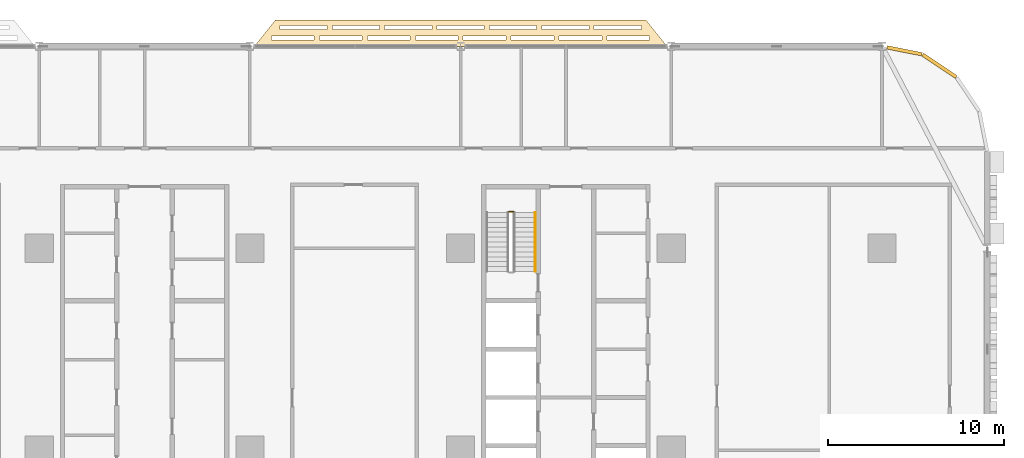
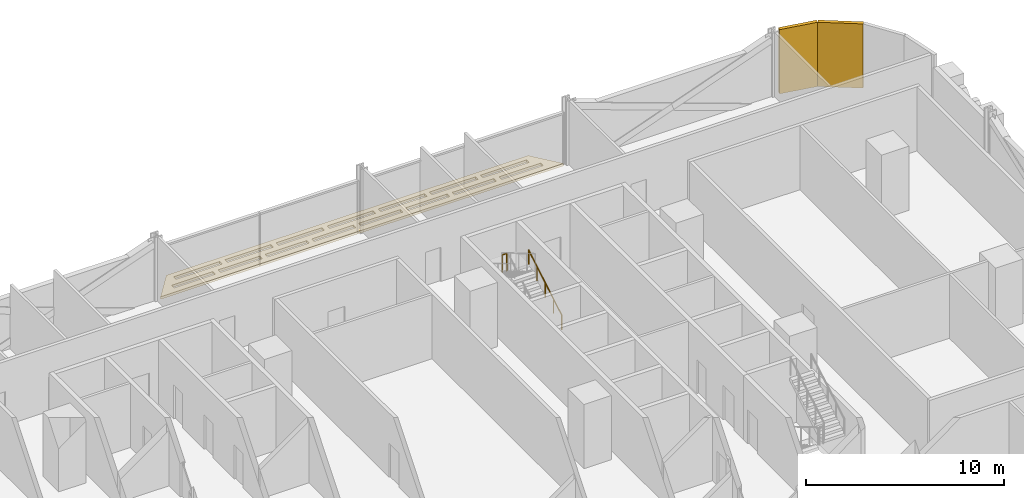
# One storey, part 28 of 29: 3 coverings, 2 railings.
"""IFC4 building model written with IfcOpenShell, lengths in metres."""

from ifc_helpers import new_model, si_unit, direction, frame, origin, origin_2d, place, context, subcontext, project, spatial, polyline, rectangle, circle, outline, extrude, material, layer, layer_set, type_object, element, save


model = new_model("IFC4")

# Units and contexts
model_context = context("Model", 3, precision=1e-05, world=origin(), true_north=direction((0.0, 1.0)))
body_context = subcontext(model_context, "Body", "Model", "MODEL_VIEW")
ifc_project = project(units=[si_unit("LENGTHUNIT", "METRE"), si_unit("AREAUNIT", "SQUARE_METRE"), si_unit("VOLUMEUNIT", "CUBIC_METRE"), si_unit("PLANEANGLEUNIT", "RADIAN"), si_unit("MASSUNIT", "GRAM", prefix="KILO")], contexts=[model_context])

# Site, building, storey
site_placement = place(None, origin())
site = spatial("IfcSite", under=ifc_project, at=site_placement, CompositionType="ELEMENT")
building_placement = place(site_placement, origin())
building = spatial("IfcBuilding", under=site, at=building_placement, Name="Mahtab Terrace Research Tower", CompositionType="ELEMENT")
storey_placement = place(building_placement, frame((0.0, 0.0, 20.10009765625)))
storey = spatial("IfcBuildingStorey", under=building, at=storey_placement, Name="L04", CompositionType="ELEMENT", Elevation=20.10009765625)

# Coverings
ifc_material_1 = material(Name="Black aluminium cladding panel", Category="aluminium")
ifc_layer_1 = layer(ifc_material_1, 0.199951171875)
ifc_layer_set_1 = layer_set([ifc_layer_1], Name="Black metal corner cladding 200")
covering_type_1 = type_object("IfcCoveringType", Name="Black metal corner cladding 200", PredefinedType="CLADDING", material=ifc_layer_set_1)
covering_1_placement = place(storey_placement, frame((45.26953125, 21.89306640625, 0.0), z_axis=(0.0, 0.0, 1.0), x_axis=(-0.831655794326, 0.555291490808, 0.0)))
element("IfcCovering", 1, at=covering_1_placement, inside=storey, type_object=covering_type_1, Name="Corner cladding L04 1", PredefinedType="CLADDING", context=body_context, shape_type="SweptSolid", body=[
    extrude(rectangle(XDim=2.30126953125, YDim=0.199951171875, at=origin_2d()), origin(), (0.0, 0.0, 1.0), 3.9599609375),
])
covering_2_placement = place(storey_placement, frame((43.28173828125, 22.744873046875, 0.0), z_axis=(0.0, 0.0, 1.0), x_axis=(-0.980760981187, 0.195212442692, 0.0)))
element("IfcCovering", 2, at=covering_2_placement, inside=storey, type_object=covering_type_1, Name="Corner cladding L04 2", PredefinedType="CLADDING", context=body_context, shape_type="SweptSolid", body=[
    extrude(rectangle(XDim=2.0283203125, YDim=0.199951171875, at=origin_2d()), origin(), (0.0, 0.0, 1.0), 3.9599609375),
])
ifc_material_2 = material(Name="Black anodised aluminium", Category="aluminium")
ifc_layer_2 = layer(ifc_material_2, 0.14990234375)
ifc_layer_set_2 = layer_set([ifc_layer_2], Name="Horizontal sunshade band")
covering_type_2 = type_object("IfcCoveringType", Name="Horizontal sunshade band", PredefinedType="CLADDING", material=ifc_layer_set_2)
covering_3_placement = place(storey_placement, frame((0.0, 0.0, -0.150146484375)))
element("IfcCovering", 3, at=covering_3_placement, inside=storey, type_object=covering_type_2, Name="Sunshade band L04 4", PredefinedType="CLADDING", context=body_context, shape_type="SweptSolid", body=[
    extrude(outline(polyline([(29.7509765625, 23.0), (6.2490234375, 23.0), (7.448974609375, 24.5), (28.551025390625, 24.5), (29.7509765625, 23.0)]), holes=[polyline([(28.77099609375, 23.35009765625), (26.341064453125, 23.35009765625), (26.341064453125, 23.60009765625), (28.77099609375, 23.60009765625), (28.77099609375, 23.35009765625)]), polyline([(26.041015625, 23.35009765625), (23.611083984375, 23.35009765625), (23.611083984375, 23.60009765625), (26.041015625, 23.60009765625), (26.041015625, 23.35009765625)]), polyline([(23.31103515625, 23.35009765625), (20.8798828125, 23.35009765625), (20.8798828125, 23.60009765625), (23.31103515625, 23.60009765625), (23.31103515625, 23.35009765625)]), polyline([(20.580078125, 23.35009765625), (18.14990234375, 23.35009765625), (18.14990234375, 23.60009765625), (20.580078125, 23.60009765625), (20.580078125, 23.35009765625)]), polyline([(17.85009765625, 23.35009765625), (15.419921875, 23.35009765625), (15.419921875, 23.60009765625), (17.85009765625, 23.60009765625), (17.85009765625, 23.35009765625)]), polyline([(15.1201171875, 23.35009765625), (12.68994140625, 23.35009765625), (12.68994140625, 23.60009765625), (15.1201171875, 23.60009765625), (15.1201171875, 23.35009765625)]), polyline([(12.389892578125, 23.35009765625), (9.958984375, 23.35009765625), (9.958984375, 23.60009765625), (12.389892578125, 23.60009765625), (12.389892578125, 23.35009765625)]), polyline([(9.658935546875, 23.35009765625), (7.22900390625, 23.35009765625), (7.22900390625, 23.60009765625), (9.658935546875, 23.60009765625), (9.658935546875, 23.35009765625)]), polyline([(28.291015625, 23.949951171875), (25.60791015625, 23.949951171875), (25.60791015625, 24.199951171875), (28.291015625, 24.199951171875), (28.291015625, 23.949951171875)]), polyline([(25.30810546875, 23.949951171875), (22.625, 23.949951171875), (22.625, 24.199951171875), (25.30810546875, 24.199951171875), (25.30810546875, 23.949951171875)]), polyline([(22.324951171875, 23.949951171875), (19.64208984375, 23.949951171875), (19.64208984375, 24.199951171875), (22.324951171875, 24.199951171875), (22.324951171875, 23.949951171875)]), polyline([(19.342041015625, 23.949951171875), (16.657958984375, 23.949951171875), (16.657958984375, 24.199951171875), (19.342041015625, 24.199951171875), (19.342041015625, 23.949951171875)]), polyline([(16.35791015625, 23.949951171875), (13.675048828125, 23.949951171875), (13.675048828125, 24.199951171875), (16.35791015625, 24.199951171875), (16.35791015625, 23.949951171875)]), polyline([(13.375, 23.949951171875), (10.69189453125, 23.949951171875), (10.69189453125, 24.199951171875), (13.375, 24.199951171875), (13.375, 23.949951171875)]), polyline([(10.39208984375, 23.949951171875), (7.708984375, 23.949951171875), (7.708984375, 24.199951171875), (10.39208984375, 24.199951171875), (10.39208984375, 23.949951171875)])]), origin(), (0.0, 0.0, 1.0), 0.150146484375),
])

# Railings
ifc_material_3 = material(Name="Stainless steel AISI 304", Category="steel")
railing_type_1 = type_object("IfcRailingType", Name="Stair guard 1100", PredefinedType="GUARDRAIL", material=ifc_material_3)
railing_1_placement = place(storey_placement, frame((21.0, 13.5849609375, 2.14990234375)))
element("IfcRailing", 4, at=railing_1_placement, inside=storey, type_object=railing_type_1, Name="L04 ST3 stair guard 2", PredefinedType="GUARDRAIL", context=body_context, shape_type="SweptSolid", body=[
    extrude(circle(Radius=0.02392578125, at=origin_2d()), frame((0.0, 0.0, 1.076171875), z_axis=(-1.0, 0.0, 0.0), x_axis=(0.0, -1.0, 0.0)), (0.0, 0.0, 1.0), 0.25),
    extrude(circle(Radius=0.02099609375, at=origin_2d()), origin(), (0.0, 0.0, 1.0), 1.052001953125),
    extrude(circle(Radius=0.02099609375, at=origin_2d()), frame((-0.25, 0.0, 0.0)), (0.0, 0.0, 1.0), 1.052001953125),
])
railing_type_2 = type_object("IfcRailingType", Name="Stair handrail 900", PredefinedType="HANDRAIL", material=ifc_material_3)
railing_2_placement = place(storey_placement, frame((22.25, 10.175048828125, 0.165283203125)))
element("IfcRailing", 5, at=railing_2_placement, inside=storey, type_object=railing_type_2, Name="L04 ST3 stair handrail 1", PredefinedType="HANDRAIL", context=body_context, shape_type="SweptSolid", body=[
    extrude(circle(Radius=0.02392578125, at=origin_2d()), frame((0.0, 0.0, 0.8759765625), z_axis=(0.0, 0.861011212953, 0.508585972249), x_axis=(-1.0, 0.0, 0.0)), (0.0, 0.0, 1.0), 3.90234375),
    extrude(circle(Radius=0.02099609375, at=origin_2d()), origin(), (0.0, 0.0, 1.0), 0.851806640625),
    extrude(circle(Radius=0.02099609375, at=origin_2d()), frame((0.0, 0.83984375, 0.49609375)), (0.0, 0.0, 1.0), 0.851806640625),
    extrude(circle(Radius=0.02099609375, at=origin_2d()), frame((0.0, 1.679931640625, 0.9921875)), (0.0, 0.0, 1.0), 0.851806640625),
    extrude(circle(Radius=0.02099609375, at=origin_2d()), frame((0.0, 2.52001953125, 1.488525390625)), (0.0, 0.0, 1.0), 0.851806640625),
    extrude(circle(Radius=0.02099609375, at=origin_2d()), frame((0.0, 3.35986328125, 1.984619140625)), (0.0, 0.0, 1.0), 0.851806640625),
])

save(model, "model.ifc")
